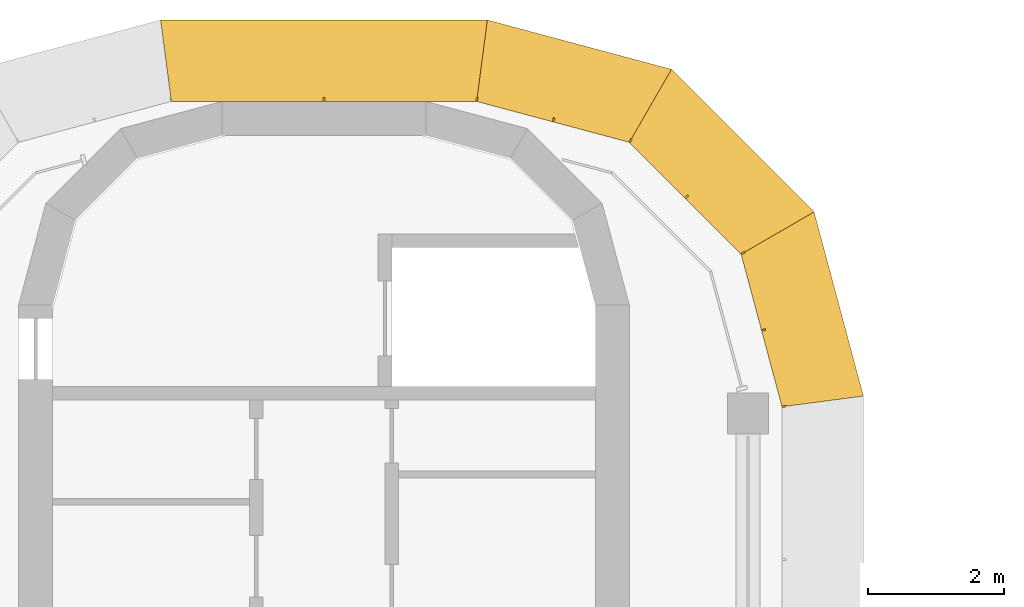
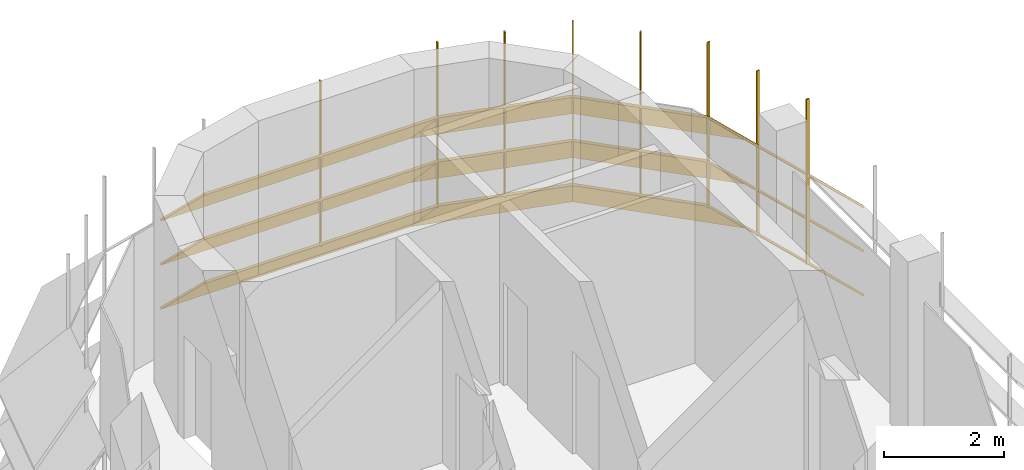
# One storey, part 19 of 19: 2 shading devices.
"""IFC4 building model written with IfcOpenShell, lengths in metres."""

from ifc_helpers import new_model, si_unit, direction, frame, origin, place, context, subcontext, project, spatial, polyline, outline, extrude, faceted_brep, source, transform, mapped, material, type_object, element, save


model = new_model("IFC4")

# Units and contexts
model_context = context("Model", 3, precision=1e-05, world=origin(), true_north=direction((0.0, 1.0)))
body_context = subcontext(model_context, "Body", "Model", "MODEL_VIEW")
ifc_project = project(units=[si_unit("LENGTHUNIT", "METRE"), si_unit("AREAUNIT", "SQUARE_METRE"), si_unit("VOLUMEUNIT", "CUBIC_METRE"), si_unit("PLANEANGLEUNIT", "RADIAN"), si_unit("MASSUNIT", "GRAM", prefix="KILO")], contexts=[model_context])

# Site, building, storey
site_placement = place(None, origin())
site = spatial("IfcSite", under=ifc_project, at=site_placement, CompositionType="ELEMENT")
building_placement = place(site_placement, origin())
building = spatial("IfcBuilding", under=site, at=building_placement, Name="Zarbagh Exchange Tower", CompositionType="ELEMENT")
storey_placement = place(building_placement, frame((0.0, 0.0, 261.199951171875)))
storey = spatial("IfcBuildingStorey", under=building, at=storey_placement, Name="L64", CompositionType="ELEMENT", Elevation=261.199951171875)

# Shading devices
ifc_material = material(Name="Anodised aluminium blades and brackets", Category="aluminium")
shading_device_type = type_object("IfcShadingDeviceType", Name="SUNSHADE louvre band, 45 degree blades", PredefinedType="JALOUSIE", material=ifc_material)
shared_shape_1 = source(origin(), body_context, "Body", "Brep", [
    faceted_brep([(0.0, 0.0, 0.0), (0.0, 0.0, -0.056640625), (-0.157958984375, -1.199951171875, -1.256591796875), (-0.157958984375, -1.199951171875, -1.199951171875), (2.65087890625, -1.199951171875, -1.199951171875), (2.65087890625, -1.199951171875, -1.256591796875), (2.329345703125, 0.0, -0.056640625), (2.329345703125, 0.0, 0.0)], [[[0, 1, 2, 3]], [[4, 5, 6, 7]], [[0, 7, 6, 1]], [[1, 6, 5, 2]], [[2, 5, 4, 3]], [[3, 4, 7, 0]]]),
])
shared_shape_2 = source(origin(), body_context, "Body", "Brep", [
    faceted_brep([(0.0, 0.0, 0.0), (0.0, 0.0, -0.056640625), (-0.321533203125, -1.199951171875, -1.256591796875), (-0.321533203125, -1.199951171875, -1.199951171875), (2.65087890625, -1.199951171875, -1.199951171875), (2.65087890625, -1.199951171875, -1.256591796875), (2.329345703125, 0.0, -0.056640625), (2.329345703125, 0.0, 0.0)], [[[0, 1, 2, 3]], [[4, 5, 6, 7]], [[0, 7, 6, 1]], [[1, 6, 5, 2]], [[2, 5, 4, 3]], [[3, 4, 7, 0]]]),
])
shared_shape_3 = source(origin(), body_context, "Body", "Brep", [
    faceted_brep([(0.0, 0.0, 0.0), (0.0, 0.0, -0.056640625), (-0.321533203125, -1.199951171875, -1.256591796875), (-0.321533203125, -1.199951171875, -1.199951171875), (2.4873046875, -1.199951171875, -1.199951171875), (2.4873046875, -1.199951171875, -1.256591796875), (2.329345703125, 0.0, -0.056640625), (2.329345703125, 0.0, 0.0)], [[[0, 1, 2, 3]], [[4, 5, 6, 7]], [[0, 7, 6, 1]], [[1, 6, 5, 2]], [[2, 5, 4, 3]], [[3, 4, 7, 0]]]),
])
shared_shape_4 = source(origin(), body_context, "Body", "SweptSolid", [
    extrude(outline(polyline([(0.0, -0.012451171875), (0.06005859375, -0.012451171875), (0.06005859375, 0.012451171875), (0.0, 0.012451171875), (0.0, -0.012451171875)])), origin(), (0.0, 0.0, 1.0), 3.366455078125),
])
placement = place(storey_placement, origin())
element("IfcShadingDevice", 1, at=placement, inside=storey, type_object=shading_device_type, Name="SS46 sunshade band", PredefinedType="JALOUSIE", context=body_context, shape_type="MappedRepresentation", body=[
    mapped(shared_shape_1, transform((6.75, 24.75, 2.300048828125), x_axis=(-0.258824779902, 0.965924289636, 0.0), y_axis=(-0.965924289636, -0.258824779902, 0.0), z_axis=(0.0, 0.0, 1.0))),
    mapped(shared_shape_1, transform((6.75, 24.75, 1.400146484375), x_axis=(-0.258824779902, 0.965924289636, 0.0), y_axis=(-0.965924289636, -0.258824779902, 0.0), z_axis=(0.0, 0.0, 1.0))),
    mapped(shared_shape_1, transform((6.75, 24.75, 0.5), x_axis=(-0.258824779902, 0.965924289636, 0.0), y_axis=(-0.965924289636, -0.258824779902, 0.0), z_axis=(0.0, 0.0, 1.0))),
    mapped(shared_shape_2, transform((6.147216796875, 27.0, 2.300048828125), x_axis=(-0.707106781187, 0.707106781187, 0.0), y_axis=(-0.707106781187, -0.707106781187, 0.0), z_axis=(0.0, 0.0, 1.0))),
    mapped(shared_shape_2, transform((6.147216796875, 27.0, 1.400146484375), x_axis=(-0.707106781187, 0.707106781187, 0.0), y_axis=(-0.707106781187, -0.707106781187, 0.0), z_axis=(0.0, 0.0, 1.0))),
    mapped(shared_shape_2, transform((6.147216796875, 27.0, 0.5), x_axis=(-0.707106781187, 0.707106781187, 0.0), y_axis=(-0.707106781187, -0.707106781187, 0.0), z_axis=(0.0, 0.0, 1.0))),
    mapped(shared_shape_3, transform((4.5, 28.647216796875, 2.300048828125), x_axis=(-0.965924289636, 0.258824779902, 0.0), y_axis=(-0.258824779902, -0.965924289636, 0.0), z_axis=(0.0, 0.0, 1.0))),
    mapped(shared_shape_3, transform((4.5, 28.647216796875, 1.400146484375), x_axis=(-0.965924289636, 0.258824779902, 0.0), y_axis=(-0.258824779902, -0.965924289636, 0.0), z_axis=(0.0, 0.0, 1.0))),
    mapped(shared_shape_3, transform((4.5, 28.647216796875, 0.5), x_axis=(-0.965924289636, 0.258824779902, 0.0), y_axis=(-0.258824779902, -0.965924289636, 0.0), z_axis=(0.0, 0.0, 1.0))),
    mapped(shared_shape_4, transform((6.75, 24.75, 0.41357421875), x_axis=(0.991444457092, 0.130529263012, 0.0), y_axis=(-0.130529263012, 0.991444457092, 0.0), z_axis=(0.0, 0.0, 1.0))),
    mapped(shared_shape_4, transform((6.448486328125, 25.875, 0.41357421875), x_axis=(0.96592421511, 0.258825058029, 0.0), y_axis=(-0.258825058029, 0.96592421511, 0.0), z_axis=(0.0, 0.0, 1.0))),
    mapped(shared_shape_4, transform((6.147216796875, 27.0, 0.41357421875), x_axis=(0.866023812018, 0.50000275701, 0.0), y_axis=(-0.50000275701, 0.866023812018, 0.0), z_axis=(0.0, 0.0, 1.0))),
    mapped(shared_shape_4, transform((5.323486328125, 27.823486328125, 0.41357421875), x_axis=(0.707106781187, 0.707106781187, 0.0), y_axis=(-0.707106781187, 0.707106781187, 0.0), z_axis=(0.0, 0.0, 1.0))),
    mapped(shared_shape_4, transform((4.5, 28.647216796875, 0.41357421875), x_axis=(0.50000275701, 0.866023812018, 0.0), y_axis=(-0.866023812018, 0.50000275701, 0.0), z_axis=(0.0, 0.0, 1.0))),
    mapped(shared_shape_4, transform((3.375, 28.948486328125, 0.41357421875), x_axis=(0.258825058029, 0.96592421511, 0.0), y_axis=(-0.96592421511, 0.258825058029, 0.0), z_axis=(0.0, 0.0, 1.0))),
])
shared_shape_5 = source(origin(), body_context, "Body", "Brep", [
    faceted_brep([(0.0, 0.0, 0.0), (0.0, 0.0, -0.056640625), (-0.157958984375, -1.199951171875, -1.256591796875), (-0.157958984375, -1.199951171875, -1.199951171875), (4.657958984375, -1.199951171875, -1.199951171875), (4.657958984375, -1.199951171875, -1.256591796875), (4.5, 0.0, -0.056640625), (4.5, 0.0, 0.0)], [[[0, 1, 2, 3]], [[4, 5, 6, 7]], [[0, 7, 6, 1]], [[1, 6, 5, 2]], [[2, 5, 4, 3]], [[3, 4, 7, 0]]]),
])
element("IfcShadingDevice", 2, at=placement, inside=storey, type_object=shading_device_type, Name="SS47 sunshade band", PredefinedType="JALOUSIE", context=body_context, shape_type="MappedRepresentation", body=[
    mapped(shared_shape_5, transform((2.25, 29.25, 2.300048828125), x_axis=(-1.0, 0.0, 0.0), y_axis=(0.0, -1.0, 0.0), z_axis=(0.0, 0.0, 1.0))),
    mapped(shared_shape_5, transform((2.25, 29.25, 1.400146484375), x_axis=(-1.0, 0.0, 0.0), y_axis=(0.0, -1.0, 0.0), z_axis=(0.0, 0.0, 1.0))),
    mapped(shared_shape_5, transform((2.25, 29.25, 0.5), x_axis=(-1.0, 0.0, 0.0), y_axis=(0.0, -1.0, 0.0), z_axis=(0.0, 0.0, 1.0))),
    mapped(shared_shape_4, transform((2.25, 29.25, 0.41357421875), x_axis=(0.130529263012, 0.991444457092, 0.0), y_axis=(-0.991444457092, 0.130529263012, 0.0), z_axis=(0.0, 0.0, 1.0))),
    mapped(shared_shape_4, transform((0.0, 29.25, 0.41357421875), x_axis=(0.0, 1.0, 0.0), y_axis=(-1.0, 0.0, 0.0), z_axis=(0.0, 0.0, 1.0))),
])

save(model, "model.ifc")
